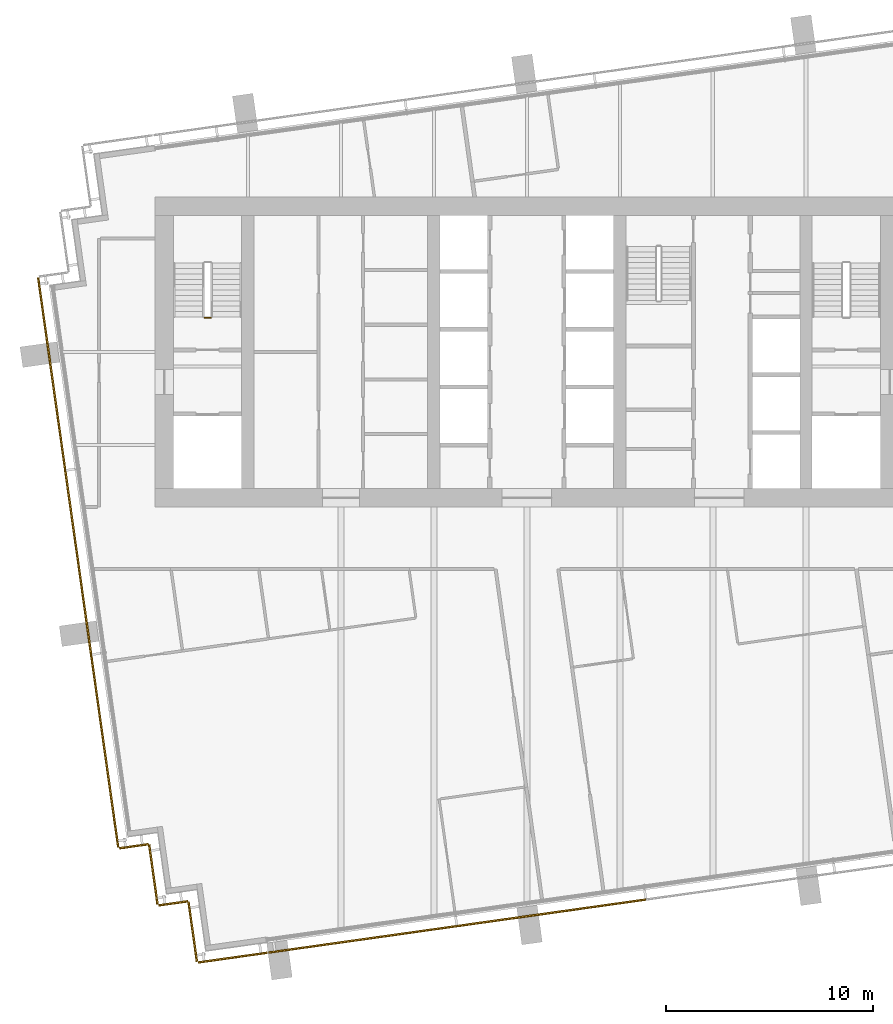
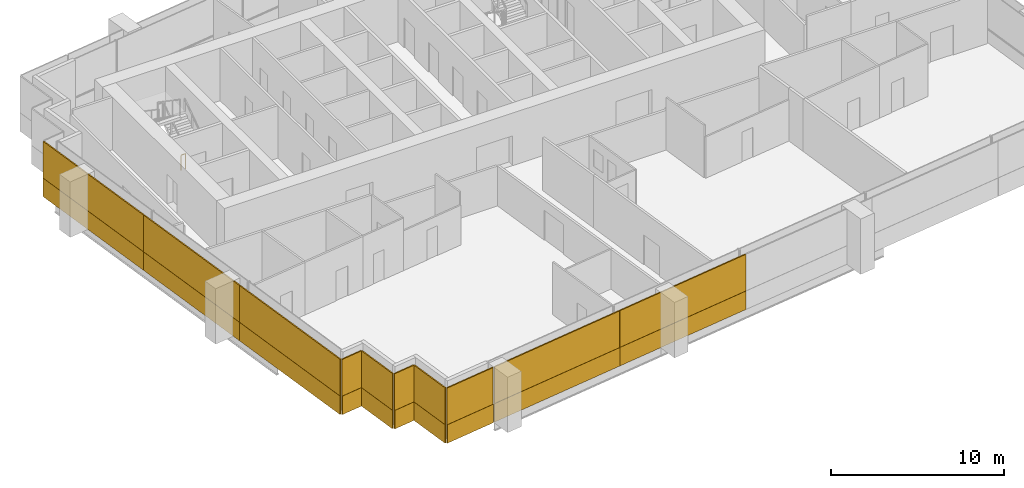
# One storey, part 14 of 18: 20 coverings, 1 railing.
"""IFC4 building model written with IfcOpenShell, lengths in metres."""

from ifc_helpers import new_model, si_unit, direction, frame, origin, origin_2d, place, context, subcontext, project, spatial, rectangle, extrude, material, layer, layer_set, type_object, element, save


model = new_model("IFC4")

# Units and contexts
model_context = context("Model", 3, precision=1e-05, world=origin(), true_north=direction((0.0, 1.0)))
body_context = subcontext(model_context, "Body", "Model", "MODEL_VIEW")
ifc_project = project(units=[si_unit("LENGTHUNIT", "METRE"), si_unit("AREAUNIT", "SQUARE_METRE"), si_unit("VOLUMEUNIT", "CUBIC_METRE"), si_unit("PLANEANGLEUNIT", "RADIAN"), si_unit("MASSUNIT", "GRAM", prefix="KILO")], contexts=[model_context])

# Site, building, storey
site_placement = place(None, origin())
site = spatial("IfcSite", under=ifc_project, at=site_placement, CompositionType="ELEMENT")
building_placement = place(site_placement, origin())
building = spatial("IfcBuilding", under=site, at=building_placement, Name="Rattan Terrace Tower", CompositionType="ELEMENT")
storey_placement = place(building_placement, frame((0.0, 0.0, 233.0)))
storey = spatial("IfcBuildingStorey", under=building, at=storey_placement, Name="L53", CompositionType="ELEMENT", Elevation=233.0)

# Railing
ifc_material_1 = material(Name="Powder-coated steel guard", Category="steel")
railing_type = type_object("IfcRailingType", Name="Core stair guard", PredefinedType="GUARDRAIL", material=ifc_material_1)
railing_placement = place(storey_placement, frame((-15.300048828125, 1.64990234375, 0.0)))
element("IfcRailing", 1, at=railing_placement, inside=storey, type_object=railing_type, Name="L53 S1 stair guard 4", PredefinedType="GUARDRAIL", context=body_context, shape_type="SweptSolid", body=[
    extrude(rectangle(XDim=0.048095703125, YDim=0.048095703125, at=origin_2d()), frame((0.0, 0.0, 1.076171875), z_axis=(-1.0, 0.0, 0.0), x_axis=(0.0, -1.0, 0.0)), (0.0, 0.0, 1.0), 0.300048828125),
    extrude(rectangle(XDim=0.0419921875, YDim=0.0419921875, at=origin_2d()), origin(), (0.0, 0.0, 1.0), 1.052001953125),
    extrude(rectangle(XDim=0.0419921875, YDim=0.0419921875, at=origin_2d()), frame((-0.300048828125, 0.0, 0.0)), (0.0, 0.0, 1.0), 1.052001953125),
])

# Coverings
ifc_material_2 = material(Name="Solid terracotta", Category="masonry")
ifc_layer_1 = layer(ifc_material_2, 0.090087890625)
ifc_layer_set_1 = layer_set([ifc_layer_1], Name="Facade Terracotta Band Panel HZ")
covering_type_1 = type_object("IfcCoveringType", Name="Facade Terracotta Band Panel HZ", PredefinedType="CLADDING", material=ifc_layer_set_1)
covering_1_placement = place(storey_placement, frame((-22.9892578125, -1.06298828125, -0.18994140625), z_axis=(0.0, 0.0, 1.0), x_axis=(0.139186165309, -0.990266232579, 0.0)))
element("IfcCovering", 2, at=covering_1_placement, inside=storey, type_object=covering_type_1, Name="OUTER SKIN panel L53-24A", PredefinedType="CLADDING", context=body_context, shape_type="SweptSolid", body=[
    extrude(rectangle(XDim=9.39990234375, YDim=0.090087890625, at=origin_2d()), origin(), (0.0, 0.0, 1.0), 1.300048828125),
])
covering_2_placement = place(storey_placement, frame((-21.70751953125, -10.183349609375, -0.18994140625), z_axis=(0.0, 0.0, 1.0), x_axis=(0.139186165309, -0.990266232579, 0.0)))
element("IfcCovering", 3, at=covering_2_placement, inside=storey, type_object=covering_type_1, Name="OUTER SKIN panel L53-25A", PredefinedType="CLADDING", context=body_context, shape_type="SweptSolid", body=[
    extrude(rectangle(XDim=8.97998046875, YDim=0.090087890625, at=origin_2d()), origin(), (0.0, 0.0, 1.0), 1.300048828125),
])
covering_3_placement = place(storey_placement, frame((-20.425537109375, -19.3037109375, -0.18994140625), z_axis=(0.0, 0.0, 1.0), x_axis=(0.139186165309, -0.990266232579, 0.0)))
element("IfcCovering", 4, at=covering_3_placement, inside=storey, type_object=covering_type_1, Name="OUTER SKIN panel L53-26A", PredefinedType="CLADDING", context=body_context, shape_type="SweptSolid", body=[
    extrude(rectangle(XDim=9.39990234375, YDim=0.090087890625, at=origin_2d()), origin(), (0.0, 0.0, 1.0), 1.300048828125),
])
covering_4_placement = place(storey_placement, frame((-19.00634765625, -23.90576171875, -0.18994140625), z_axis=(0.0, 0.0, 1.0), x_axis=(0.990240767803, 0.139367219175, 0.0)))
element("IfcCovering", 5, at=covering_4_placement, inside=storey, type_object=covering_type_1, Name="OUTER SKIN panel L53-27A", PredefinedType="CLADDING", context=body_context, shape_type="SweptSolid", body=[
    extrude(rectangle(XDim=1.419677734375, YDim=0.090087890625, at=origin_2d()), origin(), (0.0, 0.0, 1.0), 1.300048828125),
])
covering_5_placement = place(storey_placement, frame((-18.07177734375, -25.27392578125, -0.18994140625), z_axis=(0.0, 0.0, 1.0), x_axis=(0.139321220646, -0.990247240581, 0.0)))
element("IfcCovering", 6, at=covering_5_placement, inside=storey, type_object=covering_type_1, Name="OUTER SKIN panel L53-28A", PredefinedType="CLADDING", context=body_context, shape_type="SweptSolid", body=[
    extrude(rectangle(XDim=2.920166015625, YDim=0.090087890625, at=origin_2d()), origin(), (0.0, 0.0, 1.0), 1.300048828125),
])
covering_6_placement = place(storey_placement, frame((-17.103271484375, -26.667724609375, -0.18994140625), z_axis=(0.0, 0.0, 1.0), x_axis=(0.990240767803, 0.139367219175, 0.0)))
element("IfcCovering", 7, at=covering_6_placement, inside=storey, type_object=covering_type_1, Name="OUTER SKIN panel L53-29A", PredefinedType="CLADDING", context=body_context, shape_type="SweptSolid", body=[
    extrude(rectangle(XDim=1.419677734375, YDim=0.090087890625, at=origin_2d()), origin(), (0.0, 0.0, 1.0), 1.300048828125),
])
covering_7_placement = place(storey_placement, frame((-16.168701171875, -28.035888671875, -0.18994140625), z_axis=(0.0, 0.0, 1.0), x_axis=(0.139321220646, -0.990247240581, 0.0)))
element("IfcCovering", 8, at=covering_7_placement, inside=storey, type_object=covering_type_1, Name="OUTER SKIN panel L53-30A", PredefinedType="CLADDING", context=body_context, shape_type="SweptSolid", body=[
    extrude(rectangle(XDim=2.920166015625, YDim=0.090087890625, at=origin_2d()), origin(), (0.0, 0.0, 1.0), 1.300048828125),
])
covering_8_placement = place(storey_placement, frame((-14.234619140625, -29.294189453125, -0.18994140625), z_axis=(0.0, 0.0, 1.0), x_axis=(0.990293172258, 0.138994363123, 0.0)))
element("IfcCovering", 9, at=covering_8_placement, inside=storey, type_object=covering_type_1, Name="OUTER SKIN panel L53-31A", PredefinedType="CLADDING", context=body_context, shape_type="SweptSolid", body=[
    extrude(rectangle(XDim=3.3701171875, YDim=0.090087890625, at=origin_2d()), origin(), (0.0, 0.0, 1.0), 1.300048828125),
])
covering_9_placement = place(storey_placement, frame((-7.94091796875, -28.409912109375, -0.18994140625), z_axis=(0.0, 0.0, 1.0), x_axis=(0.990267457022, 0.139177453499, 0.0)))
element("IfcCovering", 10, at=covering_9_placement, inside=storey, type_object=covering_type_1, Name="OUTER SKIN panel L53-32A", PredefinedType="CLADDING", context=body_context, shape_type="SweptSolid", body=[
    extrude(rectangle(XDim=9.18115234375, YDim=0.090087890625, at=origin_2d()), origin(), (0.0, 0.0, 1.0), 1.300048828125),
])
covering_10_placement = place(storey_placement, frame((1.185546875, -27.12744140625, -0.18994140625), z_axis=(0.0, 0.0, 1.0), x_axis=(0.990267457022, 0.139177453499, 0.0)))
element("IfcCovering", 11, at=covering_10_placement, inside=storey, type_object=covering_type_1, Name="OUTER SKIN panel L53-33A", PredefinedType="CLADDING", context=body_context, shape_type="SweptSolid", body=[
    extrude(rectangle(XDim=9.2109375, YDim=0.090087890625, at=origin_2d()), origin(), (0.0, 0.0, 1.0), 1.300048828125),
])
ifc_material_3 = material(Name="Perforated terracotta", Category="masonry")
ifc_layer_2 = layer(ifc_material_3, 0.080078125)
ifc_layer_set_2 = layer_set([ifc_layer_2], Name="Facade Terracotta Screen Panel HZ")
covering_type_2 = type_object("IfcCoveringType", Name="Facade Terracotta Screen Panel HZ", PredefinedType="CLADDING", material=ifc_layer_set_2)
covering_11_placement = place(storey_placement, frame((-22.984375, -1.062255859375, 1.10986328125), z_axis=(0.0, 0.0, 1.0), x_axis=(0.139186165309, -0.990266232579, 0.0)))
element("IfcCovering", 12, at=covering_11_placement, inside=storey, type_object=covering_type_2, Name="OUTER SKIN panel L53-24B", PredefinedType="CLADDING", context=body_context, shape_type="SweptSolid", body=[
    extrude(rectangle(XDim=9.39990234375, YDim=0.080078125, at=origin_2d()), origin(), (0.0, 0.0, 1.0), 2.580078125),
])
covering_12_placement = place(storey_placement, frame((-21.702392578125, -10.1826171875, 1.10986328125), z_axis=(0.0, 0.0, 1.0), x_axis=(0.139186165309, -0.990266232579, 0.0)))
element("IfcCovering", 13, at=covering_12_placement, inside=storey, type_object=covering_type_2, Name="OUTER SKIN panel L53-25B", PredefinedType="CLADDING", context=body_context, shape_type="SweptSolid", body=[
    extrude(rectangle(XDim=8.97998046875, YDim=0.080078125, at=origin_2d()), origin(), (0.0, 0.0, 1.0), 2.580078125),
])
covering_13_placement = place(storey_placement, frame((-20.420654296875, -19.302978515625, 1.10986328125), z_axis=(0.0, 0.0, 1.0), x_axis=(0.139186165309, -0.990266232579, 0.0)))
element("IfcCovering", 14, at=covering_13_placement, inside=storey, type_object=covering_type_2, Name="OUTER SKIN panel L53-26B", PredefinedType="CLADDING", context=body_context, shape_type="SweptSolid", body=[
    extrude(rectangle(XDim=9.39990234375, YDim=0.080078125, at=origin_2d()), origin(), (0.0, 0.0, 1.0), 2.580078125),
])
covering_14_placement = place(storey_placement, frame((-19.007080078125, -23.900634765625, 1.10986328125), z_axis=(0.0, 0.0, 1.0), x_axis=(0.990240767803, 0.139367219175, 0.0)))
element("IfcCovering", 15, at=covering_14_placement, inside=storey, type_object=covering_type_2, Name="OUTER SKIN panel L53-27B", PredefinedType="CLADDING", context=body_context, shape_type="SweptSolid", body=[
    extrude(rectangle(XDim=1.419677734375, YDim=0.080078125, at=origin_2d()), origin(), (0.0, 0.0, 1.0), 2.580078125),
])
covering_15_placement = place(storey_placement, frame((-18.06689453125, -25.273193359375, 1.10986328125), z_axis=(0.0, 0.0, 1.0), x_axis=(0.139321220646, -0.990247240581, 0.0)))
element("IfcCovering", 16, at=covering_15_placement, inside=storey, type_object=covering_type_2, Name="OUTER SKIN panel L53-28B", PredefinedType="CLADDING", context=body_context, shape_type="SweptSolid", body=[
    extrude(rectangle(XDim=2.920166015625, YDim=0.080078125, at=origin_2d()), origin(), (0.0, 0.0, 1.0), 2.580078125),
])
covering_16_placement = place(storey_placement, frame((-17.10400390625, -26.662841796875, 1.10986328125), z_axis=(0.0, 0.0, 1.0), x_axis=(0.990240767803, 0.139367219175, 0.0)))
element("IfcCovering", 17, at=covering_16_placement, inside=storey, type_object=covering_type_2, Name="OUTER SKIN panel L53-29B", PredefinedType="CLADDING", context=body_context, shape_type="SweptSolid", body=[
    extrude(rectangle(XDim=1.419677734375, YDim=0.080078125, at=origin_2d()), origin(), (0.0, 0.0, 1.0), 2.580078125),
])
covering_17_placement = place(storey_placement, frame((-16.163818359375, -28.03515625, 1.10986328125), z_axis=(0.0, 0.0, 1.0), x_axis=(0.139321220646, -0.990247240581, 0.0)))
element("IfcCovering", 18, at=covering_17_placement, inside=storey, type_object=covering_type_2, Name="OUTER SKIN panel L53-30B", PredefinedType="CLADDING", context=body_context, shape_type="SweptSolid", body=[
    extrude(rectangle(XDim=2.920166015625, YDim=0.080078125, at=origin_2d()), origin(), (0.0, 0.0, 1.0), 2.580078125),
])
covering_18_placement = place(storey_placement, frame((-14.2353515625, -29.289306640625, 1.10986328125), z_axis=(0.0, 0.0, 1.0), x_axis=(0.990293172258, 0.138994363123, 0.0)))
element("IfcCovering", 19, at=covering_18_placement, inside=storey, type_object=covering_type_2, Name="OUTER SKIN panel L53-31B", PredefinedType="CLADDING", context=body_context, shape_type="SweptSolid", body=[
    extrude(rectangle(XDim=3.3701171875, YDim=0.080078125, at=origin_2d()), origin(), (0.0, 0.0, 1.0), 2.580078125),
])
covering_19_placement = place(storey_placement, frame((-7.941650390625, -28.405029296875, 1.10986328125), z_axis=(0.0, 0.0, 1.0), x_axis=(0.990267457022, 0.139177453499, 0.0)))
element("IfcCovering", 20, at=covering_19_placement, inside=storey, type_object=covering_type_2, Name="OUTER SKIN panel L53-32B", PredefinedType="CLADDING", context=body_context, shape_type="SweptSolid", body=[
    extrude(rectangle(XDim=9.18115234375, YDim=0.080078125, at=origin_2d()), origin(), (0.0, 0.0, 1.0), 2.580078125),
])
covering_20_placement = place(storey_placement, frame((1.184814453125, -27.122314453125, 1.10986328125), z_axis=(0.0, 0.0, 1.0), x_axis=(0.990267457022, 0.139177453499, 0.0)))
element("IfcCovering", 21, at=covering_20_placement, inside=storey, type_object=covering_type_2, Name="OUTER SKIN panel L53-33B", PredefinedType="CLADDING", context=body_context, shape_type="SweptSolid", body=[
    extrude(rectangle(XDim=9.2109375, YDim=0.080078125, at=origin_2d()), origin(), (0.0, 0.0, 1.0), 2.580078125),
])

save(model, "model.ifc")
